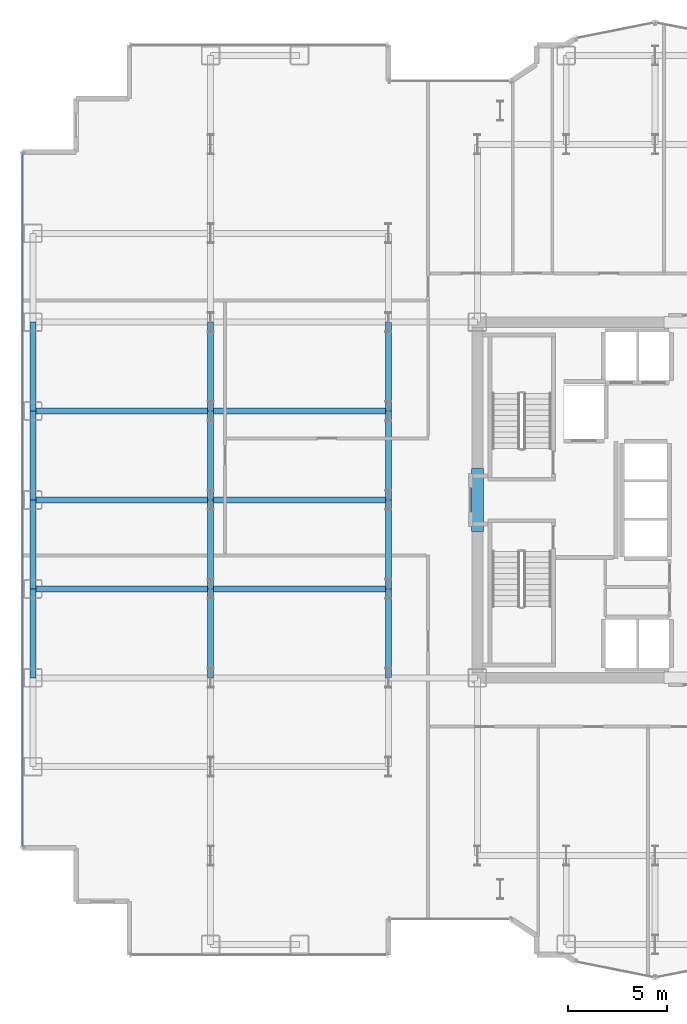
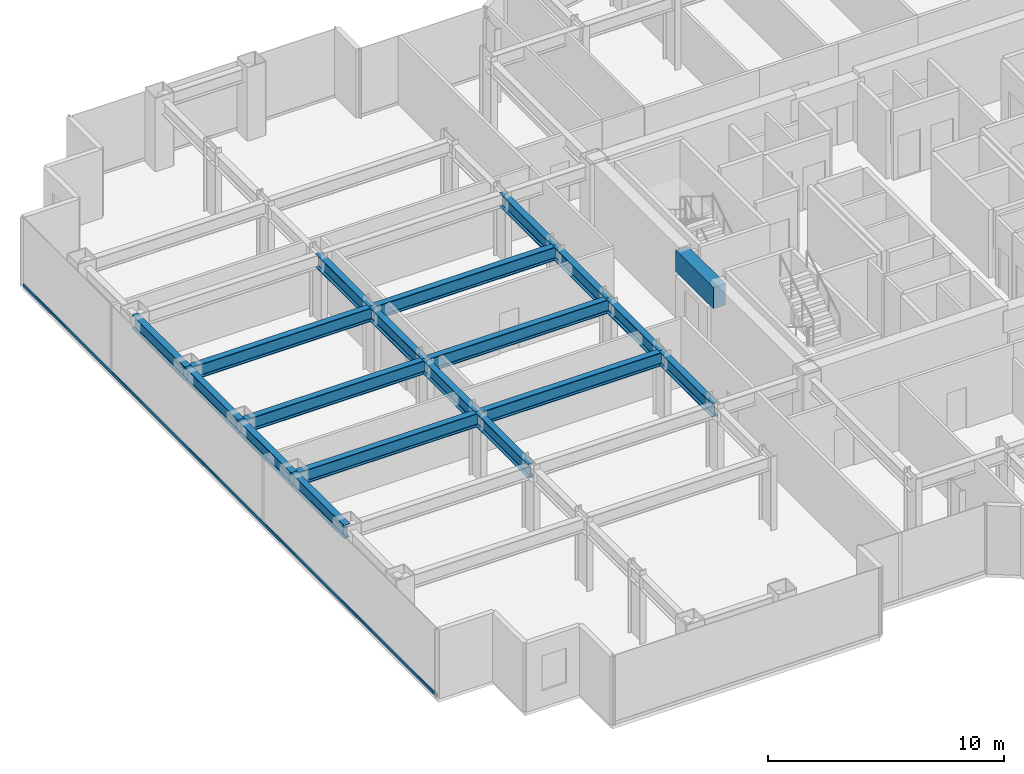
# One storey, part 5 of 26: 19 beams, 1 member, 1 element without a shape of its own.
"""IFC4 building model written with IfcOpenShell, lengths in metres."""

import ifcopenshell
import ifcopenshell.guid

model = None  # the IFC model being written
_history = None  # IfcOwnerHistory: only IFC2X3 demands one
_inside = {}  # id of a spatial element -> (the spatial element, [elements in it])
_under = {}  # id of a project, library or spatial element -> (it, [spatial elements below it])
_declared = {}  # id of a project -> (the project, [libraries it declares])
_typed = {}  # id of a type object -> (the type object, [elements of that type])
_made_of = {}  # id of a material, layer set ... -> (it, [elements and type objects made of it])


def new_model(schema):
    """Start an empty IFC model of exactly this schema.

    Asked for "IFC4X3", IfcOpenShell would pick the latest addendum, in which some entities
    have other attributes; the version numbers below select the first issue.
    IFC2X3 requires an IfcOwnerHistory on every rooted entity: one is made here for all.
    """
    global model, _history
    if schema == "IFC4X3":
        model = ifcopenshell.file(schema_version=(4, 3, 0, 0))
    else:
        model = ifcopenshell.file(schema=schema)
    _inside.clear()
    _under.clear()
    _declared.clear()
    _typed.clear()
    _made_of.clear()
    _history = None
    if model.schema == "IFC2X3":
        org = make("IfcOrganization", Name="unknown")
        user = make(
            "IfcPersonAndOrganization",
            ThePerson=make("IfcPerson", FamilyName="unknown"),
            TheOrganization=org,
        )
        app = make(
            "IfcApplication",
            ApplicationDeveloper=org,
            Version="unknown",
            ApplicationFullName="unknown",
            ApplicationIdentifier="unknown",
        )
        _history = make(
            "IfcOwnerHistory",
            OwningUser=user,
            OwningApplication=app,
            ChangeAction="ADDED",
            CreationDate=0,
        )
    return model


def make(cls, **values):
    """One entity of the class cls with the attributes given. An attribute that is None is left unset."""
    return model.create_entity(
        cls, **{name: value for name, value in values.items() if value is not None}
    )


def rooted(cls, **values):
    """An entity with a GlobalId (a new one), such as an element, a storey or a relation."""
    return make(cls, GlobalId=ifcopenshell.guid.new(), OwnerHistory=_history, **values)


def si_unit(unit_type, name, prefix=None):
    """IfcSIUnit, for example si_unit("LENGTHUNIT", "METRE", prefix="MILLI")."""
    return make("IfcSIUnit", UnitType=unit_type, Prefix=prefix, Name=name)


def assignment(units):
    """IfcUnitAssignment: the units of a project."""
    return None if units is None else make("IfcUnitAssignment", Units=units)


def point(xyz):
    """IfcCartesianPoint."""
    return None if xyz is None else make("IfcCartesianPoint", Coordinates=xyz)


def direction(xyz):
    """IfcDirection."""
    return None if xyz is None else make("IfcDirection", DirectionRatios=xyz)


def frame(location, z_axis=None, x_axis=None):
    """IfcAxis2Placement3D, a coordinate frame: its origin and axes. An axis left out is left unset."""
    return make(
        "IfcAxis2Placement3D",
        Location=point(location),
        Axis=direction(z_axis),
        RefDirection=direction(x_axis),
    )


def frame_2d(location, x_axis=None):
    """IfcAxis2Placement2D, a coordinate frame in the plane: its origin and x axis."""
    return make(
        "IfcAxis2Placement2D", Location=point(location), RefDirection=direction(x_axis)
    )


def origin():
    """The frame at (0, 0, 0) with its axes left unset."""
    return frame((0.0, 0.0, 0.0))


def origin_2d():
    """The frame at (0, 0) in the plane with its x axis left unset."""
    return frame_2d((0.0, 0.0))


def place(relative_to, where):
    """IfcLocalPlacement: puts the frame where relative to a parent placement (None: the world)."""
    return make(
        "IfcLocalPlacement", PlacementRelTo=relative_to, RelativePlacement=where
    )


def context(
    kind, dimensions, precision=None, world=None, true_north=None, identifier=None
):
    """IfcGeometricRepresentationContext, for example the 3D "Model" context."""
    return make(
        "IfcGeometricRepresentationContext",
        ContextIdentifier=identifier,
        ContextType=kind,
        CoordinateSpaceDimension=dimensions,
        Precision=precision,
        WorldCoordinateSystem=world,
        TrueNorth=true_north,
    )


def subcontext(parent, identifier, kind, view, scale=None):
    """IfcGeometricRepresentationSubContext, for example "Body" below "Model"."""
    return make(
        "IfcGeometricRepresentationSubContext",
        ContextIdentifier=identifier,
        ContextType=kind,
        ParentContext=parent,
        TargetScale=scale,
        TargetView=view,
    )


def project(units=None, contexts=None):
    """IfcProject with its units and contexts."""
    return rooted(
        "IfcProject",
        Name="project",
        RepresentationContexts=contexts,
        UnitsInContext=assignment(units),
    )


def spatial(cls, under=None, at=None, **own):
    """A site, building, storey or space (cls), placed at a placement, below another one or the project."""
    s = rooted(cls, ObjectPlacement=at, **own)
    if under is not None:
        _under.setdefault(under.id(), (under, []))[1].append(s)
    return s


def profile(cls, at=None, kind="AREA", **sizes):
    """A parametric profile (cls). Its sizes go by their IFC names, for example OverallWidth=200.0."""
    return make(cls, ProfileType=kind, Position=at, **sizes)


def rectangle(**sizes):
    """IfcRectangleProfileDef."""
    return profile("IfcRectangleProfileDef", **sizes)


def hollow_rectangle(**sizes):
    """IfcRectangleHollowProfileDef."""
    return profile("IfcRectangleHollowProfileDef", **sizes)


def i_section(**sizes):
    """IfcIShapeProfileDef."""
    return profile("IfcIShapeProfileDef", **sizes)


def extrude(swept, where, along, depth):
    """IfcExtrudedAreaSolid: the profile swept, set in the frame where, extruded along a direction by depth."""
    return make(
        "IfcExtrudedAreaSolid",
        SweptArea=swept,
        Position=where,
        ExtrudedDirection=direction(along),
        Depth=depth,
    )


def shape(context_of_items, identifier, shape_type, items):
    """IfcShapeRepresentation: the items that make up one representation, for example the "Body"."""
    return make(
        "IfcShapeRepresentation",
        ContextOfItems=context_of_items,
        RepresentationIdentifier=identifier,
        RepresentationType=shape_type,
        Items=items,
    )


def source(mapping_origin, context_of_items, identifier, shape_type, items):
    """IfcRepresentationMap: a shape defined once, which mapped items show again and again."""
    return make(
        "IfcRepresentationMap",
        MappingOrigin=mapping_origin,
        MappedRepresentation=shape(context_of_items, identifier, shape_type, items),
    )


def transform(
    local_origin,
    x_axis=None,
    y_axis=None,
    z_axis=None,
    scale=None,
    scale2=None,
    scale3=None,
    uniform=True,
):
    """IfcCartesianTransformationOperator3D, or its non-uniform kind. x_axis, y_axis, z_axis: its Axis1, 2, 3."""
    if uniform:
        return make(
            "IfcCartesianTransformationOperator3D",
            Axis1=direction(x_axis),
            Axis2=direction(y_axis),
            LocalOrigin=point(local_origin),
            Scale=scale,
            Axis3=direction(z_axis),
        )
    return make(
        "IfcCartesianTransformationOperator3DnonUniform",
        Axis1=direction(x_axis),
        Axis2=direction(y_axis),
        LocalOrigin=point(local_origin),
        Scale=scale,
        Axis3=direction(z_axis),
        Scale2=scale2,
        Scale3=scale3,
    )


def mapped(mapping_source, mapping_target):
    """IfcMappedItem: shows the shape of a source again, moved by a transform."""
    return make(
        "IfcMappedItem", MappingSource=mapping_source, MappingTarget=mapping_target
    )


def material(Name=None, Category=None):
    """IfcMaterial."""
    return make("IfcMaterial", Name=Name, Category=Category)


def layer(
    of_material, thickness, ventilated=None, Name=None, Category=None, Priority=None
):
    """IfcMaterialLayer: one layer of a wall or slab, of a material (None: an air gap)."""
    return make(
        "IfcMaterialLayer",
        Material=of_material,
        LayerThickness=thickness,
        IsVentilated=ventilated,
        Name=Name,
        Category=Category,
        Priority=Priority,
    )


def layer_set(layers, Name=None):
    """IfcMaterialLayerSet."""
    return make("IfcMaterialLayerSet", MaterialLayers=layers, LayerSetName=Name)


def material_profile(
    of_material, cross_section, Name=None, Category=None, Priority=None
):
    """IfcMaterialProfile: a cross section and its material."""
    return make(
        "IfcMaterialProfile",
        Name=Name,
        Material=of_material,
        Profile=cross_section,
        Priority=Priority,
        Category=Category,
    )


def profile_set(profiles, Name=None, composite=None):
    """IfcMaterialProfileSet."""
    return make(
        "IfcMaterialProfileSet",
        Name=Name,
        MaterialProfiles=profiles,
        CompositeProfile=composite,
    )


def made_of(thing, what):
    """Note that an element or type object is made of a material, layer set ...; save() writes the relation."""
    if what is not None:
        _made_of.setdefault(what.id(), (what, []))[1].append(thing)
    return thing


def type_object(cls, material=None, **own):
    """A type object (cls), such as IfcWallType, which elements share."""
    return made_of(rooted(cls, **own), material)


def element(
    cls,
    number,
    at=None,
    inside=None,
    cuts=None,
    type_object=None,
    material=None,
    context=None,
    identifier="Body",
    shape_type=None,
    held_by="IfcProductDefinitionShape",
    body=None,
    shapes=None,
    **own,
):
    """One element of the class cls, such as IfcWall. Its Tag is "e" and its number.

    at: its placement. inside: the storey or other place that contains it. cuts: it is an
    opening in that element (IfcRelVoidsElement). A single representation is given by context,
    identifier, shape_type and body (its items); several are given by shapes. held_by: the class
    of the entity that holds the representations. save() writes the other relations.
    """
    e = rooted(cls, Tag="e%d" % number, ObjectPlacement=at, **own)
    if body is not None:
        shapes = [shape(context, identifier, shape_type, body)]
    if shapes is not None:
        e.Representation = make(held_by, Representations=shapes)
    if inside is not None:
        _inside.setdefault(inside.id(), (inside, []))[1].append(e)
    if cuts is not None:
        rooted(
            "IfcRelVoidsElement", RelatingBuildingElement=cuts, RelatedOpeningElement=e
        )
    if type_object is not None:
        _typed.setdefault(type_object.id(), (type_object, []))[1].append(e)
    return made_of(e, material)


def aggregate(whole, parts):
    """IfcRelAggregates: a whole, such as a stair, and the parts it consists of."""
    return rooted("IfcRelAggregates", RelatingObject=whole, RelatedObjects=parts)


def save(model, path):
    """Write the relations noted so far, then the file.

    IfcRelAggregates (storeys below a building ...), IfcRelContainedInSpatialStructure (elements
    in a storey), IfcRelDefinesByType, IfcRelAssociatesMaterial and IfcRelDeclares: one each for
    every whole, place, type object, material and project.
    """
    for whole, parts in _under.values():
        aggregate(whole, parts)
    for where, things in _inside.values():
        rooted(
            "IfcRelContainedInSpatialStructure",
            RelatedElements=things,
            RelatingStructure=where,
        )
    for kind, things in _typed.values():
        rooted("IfcRelDefinesByType", RelatedObjects=things, RelatingType=kind)
    for what, things in _made_of.values():
        rooted("IfcRelAssociatesMaterial", RelatedObjects=things, RelatingMaterial=what)
    for by, libraries in _declared.values():
        rooted("IfcRelDeclares", RelatingContext=by, RelatedDefinitions=libraries)
    model.write(path)


model = new_model("IFC4")

# Units and contexts
model_context = context("Model", 3, precision=1e-05, world=origin(), true_north=direction((0.0, 1.0)))
body_context = subcontext(model_context, "Body", "Model", "MODEL_VIEW")
ifc_project = project(units=[si_unit("LENGTHUNIT", "METRE"), si_unit("AREAUNIT", "SQUARE_METRE"), si_unit("VOLUMEUNIT", "CUBIC_METRE"), si_unit("PLANEANGLEUNIT", "RADIAN"), si_unit("MASSUNIT", "GRAM", prefix="KILO")], contexts=[model_context])

# Site, building, storey
site_placement = place(None, origin())
site = spatial("IfcSite", under=ifc_project, at=site_placement, CompositionType="ELEMENT")
building_placement = place(site_placement, origin())
building = spatial("IfcBuilding", under=site, at=building_placement, Name="Nefas-Gora Pilgrimage Tower", CompositionType="ELEMENT")
storey_placement = place(building_placement, frame((0.0, 0.0, 106.0)))
storey = spatial("IfcBuildingStorey", under=building, at=storey_placement, Name="L25", CompositionType="ELEMENT", Elevation=106.0)

# Beams
ifc_material_1 = material(Name="Concrete C60/75", Category="concrete")
ifc_material_profile_1 = material_profile(ifc_material_1, rectangle(XDim=0.60009765625, YDim=1.10009765625, at=origin_2d()), Name="RC 600x1100")
ifc_profile_set_1 = profile_set([ifc_material_profile_1], Name="Concrete C60/75")
beam_type_1 = type_object("IfcBeamType", Name="BM-LIN-RC1100", PredefinedType="LINTEL", material=ifc_profile_set_1)
shared_shape_1 = source(origin(), body_context, "Body", "SweptSolid", [
    extrude(rectangle(XDim=0.60009765625, YDim=1.10009765625, at=origin_2d()), origin(), (0.0, 0.0, 1.0), 3.2001953125),
])
beam_placement = place(storey_placement, frame((-11.25, -1.60009765625, 3.0), z_axis=(0.0, 1.0, 0.0), x_axis=(-1.0, 0.0, 0.0)))
element("IfcBeam", 1, at=beam_placement, inside=storey, type_object=beam_type_1, Name="L25 Core Coupling Lintel Beam W", PredefinedType="LINTEL", context=body_context, shape_type="MappedRepresentation", body=[
    mapped(shared_shape_1, transform((0.0, 0.0, 0.0), x_axis=(1.0, 0.0, 0.0), y_axis=(0.0, 1.0, 0.0), z_axis=(0.0, 0.0, 1.0), scale=1.0)),
])
ifc_material_2 = material(Name="Steel S355", Category="steel")
ifc_material_profile_2 = material_profile(ifc_material_2, i_section(OverallWidth=0.300048828125, OverallDepth=0.699951171875, WebThickness=0.01708984375, FlangeThickness=0.031982421875, FilletRadius=0.027099609375, at=origin_2d()), Name="HEB 700")
ifc_profile_set_2 = profile_set([ifc_material_profile_2], Name="Steel S355")
beam_type_2 = type_object("IfcBeamType", Name="BM-SPN-HEB600", PredefinedType="SPANDREL", material=ifc_profile_set_2)
shared_shape_2 = source(origin(), body_context, "Body", "SweptSolid", [
    extrude(i_section(OverallWidth=0.300048828125, OverallDepth=0.699951171875, WebThickness=0.01708984375, FlangeThickness=0.031982421875, FilletRadius=0.027099609375, at=origin_2d()), origin(), (0.0, 0.0, 1.0), 4.5),
])
for number, where, z_axis, x_axis, name in (
    (2, (-33.75, -9.0, 3.199951171875), (0.0, 1.0, 0.0), (-1.0, 0.0, 0.0), "L25 SP-01 beam"),
    (3, (-33.75, -4.5, 3.199951171875), (0.0, 1.0, 0.0), (-1.0, 0.0, 0.0), "L25 SP-01 beam"),
    (4, (-33.75, 0.0, 3.199951171875), (0.0, 1.0, 0.0), (-1.0, 0.0, 0.0), "L25 SP-01 beam"),
    (5, (-33.75, 4.5, 3.199951171875), (0.0, 1.0, 0.0), (-1.0, 0.0, 0.0), "L25 SP-01 beam"),
):
    element("IfcBeam", number, at=place(storey_placement, frame(where, z_axis=z_axis, x_axis=x_axis)), inside=storey, type_object=beam_type_2, Name=name, PredefinedType="SPANDREL", context=body_context, shape_type="MappedRepresentation", body=[
        mapped(shared_shape_2, transform((0.0, 0.0, 0.0), x_axis=(1.0, 0.0, 0.0), y_axis=(0.0, 1.0, 0.0), z_axis=(0.0, 0.0, 1.0), scale=1.0)),
    ])
ifc_material_profile_3 = material_profile(ifc_material_2, i_section(OverallWidth=0.300048828125, OverallDepth=0.699951171875, WebThickness=0.01708984375, FlangeThickness=0.031982421875, FilletRadius=0.027099609375, at=origin_2d()), Name="HEB 700")
ifc_profile_set_3 = profile_set([ifc_material_profile_3], Name="Steel S355")
beam_type_3 = type_object("IfcBeamType", Name="BM-GIR-HEB700", PredefinedType="BEAM", material=ifc_profile_set_3)
shared_shape_3 = source(origin(), body_context, "Body", "SweptSolid", [
    extrude(i_section(OverallWidth=0.300048828125, OverallDepth=0.699951171875, WebThickness=0.01708984375, FlangeThickness=0.031982421875, FilletRadius=0.027099609375, at=origin_2d()), origin(), (0.0, 0.0, 1.0), 9.0),
])
for number, where, z_axis, x_axis, name in (
    (6, (-33.75, -4.5, 3.199951171875), (1.0, 0.0, 0.0), (0.0, 1.0, 0.0), "L25 G-02 beam"),
    (7, (-33.75, 0.0, 3.199951171875), (1.0, 0.0, 0.0), (0.0, 1.0, 0.0), "L25 G-02 beam"),
    (8, (-33.75, 4.5, 3.199951171875), (1.0, 0.0, 0.0), (0.0, 1.0, 0.0), "L25 G-02 beam"),
    (9, (-24.75, -4.5, 3.199951171875), (1.0, 0.0, 0.0), (0.0, 1.0, 0.0), "L25 G-02 beam"),
    (10, (-24.75, 0.0, 3.199951171875), (1.0, 0.0, 0.0), (0.0, 1.0, 0.0), "L25 G-02 beam"),
    (11, (-24.75, 4.5, 3.199951171875), (1.0, 0.0, 0.0), (0.0, 1.0, 0.0), "L25 G-02 beam"),
):
    element("IfcBeam", number, at=place(storey_placement, frame(where, z_axis=z_axis, x_axis=x_axis)), inside=storey, type_object=beam_type_3, Name=name, PredefinedType="BEAM", context=body_context, shape_type="MappedRepresentation", body=[
        mapped(shared_shape_3, transform((0.0, 0.0, 0.0), x_axis=(1.0, 0.0, 0.0), y_axis=(0.0, 1.0, 0.0), z_axis=(0.0, 0.0, 1.0), scale=1.0)),
    ])
shared_shape_4 = source(origin(), body_context, "Body", "SweptSolid", [
    extrude(i_section(OverallWidth=0.300048828125, OverallDepth=0.699951171875, WebThickness=0.01708984375, FlangeThickness=0.031982421875, FilletRadius=0.027099609375, at=origin_2d()), origin(), (0.0, 0.0, 1.0), 4.5),
])
for number, where, z_axis, x_axis, name in (
    (12, (-24.75, -9.0, 3.199951171875), (0.0, 1.0, 0.0), (-1.0, 0.0, 0.0), "L25 G-02 beam"),
    (13, (-24.75, -4.5, 3.199951171875), (0.0, 1.0, 0.0), (-1.0, 0.0, 0.0), "L25 G-02 beam"),
    (14, (-24.75, 0.0, 3.199951171875), (0.0, 1.0, 0.0), (-1.0, 0.0, 0.0), "L25 G-02 beam"),
    (15, (-24.75, 4.5, 3.199951171875), (0.0, 1.0, 0.0), (-1.0, 0.0, 0.0), "L25 G-02 beam"),
    (16, (-15.75, -9.0, 3.199951171875), (0.0, 1.0, 0.0), (-1.0, 0.0, 0.0), "L25 G-02 beam"),
    (17, (-15.75, -4.5, 3.199951171875), (0.0, 1.0, 0.0), (-1.0, 0.0, 0.0), "L25 G-02 beam"),
    (18, (-15.75, 0.0, 3.199951171875), (0.0, 1.0, 0.0), (-1.0, 0.0, 0.0), "L25 G-02 beam"),
    (19, (-15.75, 4.5, 3.199951171875), (0.0, 1.0, 0.0), (-1.0, 0.0, 0.0), "L25 G-02 beam"),
):
    element("IfcBeam", number, at=place(storey_placement, frame(where, z_axis=z_axis, x_axis=x_axis)), inside=storey, type_object=beam_type_3, Name=name, PredefinedType="BEAM", context=body_context, shape_type="MappedRepresentation", body=[
        mapped(shared_shape_4, transform((0.0, 0.0, 0.0), x_axis=(1.0, 0.0, 0.0), y_axis=(0.0, 1.0, 0.0), z_axis=(0.0, 0.0, 1.0), scale=1.0)),
    ])

# Curtain wall, member
ifc_material_3 = material(Name="Dark ceramic-fritted solar-control aluminium-glass curtain wall", Category="aluminium")
ifc_layer = layer(ifc_material_3, 0.219970703125)
ifc_layer_set = layer_set([ifc_layer], Name="Dark ceramic-fritted solar-control aluminium-glass curtain wall")
curtain_wall_type = type_object("IfcCurtainWallType", Name="CW-SYS-2", PredefinedType="NOTDEFINED", material=ifc_layer_set)
curtain_wall_placement = place(storey_placement, origin())
curtain_wall = element("IfcCurtainWall", 20, at=curtain_wall_placement, inside=storey, type_object=curtain_wall_type, Name="L25 Unitised Curtain Wall CW2", PredefinedType="NOTDEFINED")
ifc_material_4 = material(Name="Anodised architectural aluminium", Category="aluminium")
ifc_material_profile_4 = material_profile(ifc_material_4, hollow_rectangle(XDim=0.080078125, YDim=0.159912109375, WallThickness=0.00439453125, InnerFilletRadius=0.00439453125, OuterFilletRadius=0.009033203125, at=origin_2d()), Name="ALU TRANSOM 80x160")
ifc_profile_set_4 = profile_set([ifc_material_profile_4], Name="Anodised architectural aluminium")
member_type = type_object("IfcMemberType", Name="CWM-TRN-2", PredefinedType="USERDEFINED", material=ifc_profile_set_4)
shared_shape_5 = source(origin(), body_context, "Body", "SweptSolid", [
    extrude(hollow_rectangle(XDim=0.080078125, YDim=0.159912109375, WallThickness=0.00439453125, InnerFilletRadius=0.00439453125, OuterFilletRadius=0.009033203125, at=origin_2d()), origin(), (0.0, 0.0, 1.0), 35.06005859375),
])
member_placement = place(storey_placement, frame((-34.27001953125, 17.530029296875, 0.050048828125), z_axis=(0.0, -1.0, 0.0), x_axis=(1.0, 0.0, 0.0)))
member = element("IfcMember", 21, at=member_placement, type_object=member_type, Name="CW2 Spandrel Transom", ObjectType="TRANSOM", PredefinedType="USERDEFINED", context=body_context, shape_type="MappedRepresentation", body=[
    mapped(shared_shape_5, transform((0.0, 0.0, 0.0), x_axis=(1.0, 0.0, 0.0), y_axis=(0.0, 1.0, 0.0), z_axis=(0.0, 0.0, 1.0), scale=1.0)),
])
aggregate(curtain_wall, [member])

save(model, "model.ifc")
